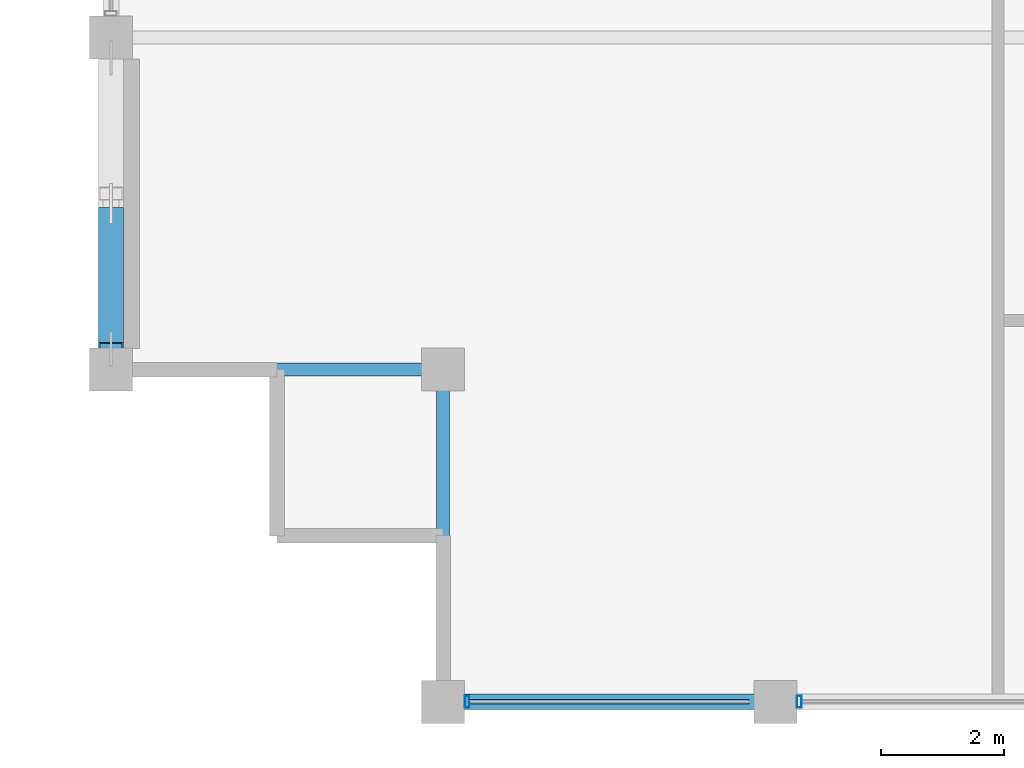
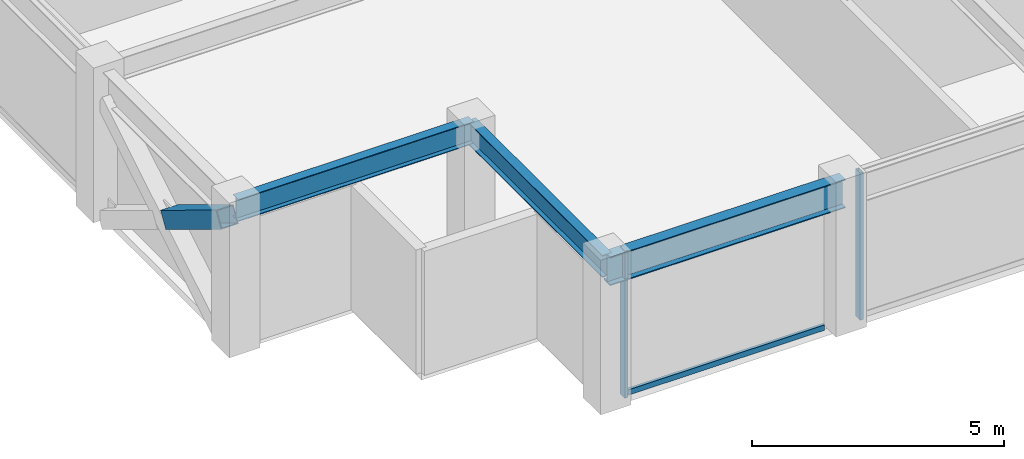
# One storey, part 2 of 29: 4 members, 3 beams, 1 element without a shape of its own.
"""IFC4 building model written with IfcOpenShell, lengths in metres."""

from ifc_helpers import new_model, si_unit, direction, frame, origin, origin_2d, place, context, subcontext, project, spatial, hollow_rectangle, i_section, extrude, material, layer, layer_set, material_profile, profile_set, type_object, element, aggregate, save


model = new_model("IFC4")

# Units and contexts
model_context = context("Model", 3, precision=1e-05, world=origin(), true_north=direction((0.0, 1.0)))
body_context = subcontext(model_context, "Body", "Model", "MODEL_VIEW")
ifc_project = project(units=[si_unit("LENGTHUNIT", "METRE"), si_unit("AREAUNIT", "SQUARE_METRE"), si_unit("VOLUMEUNIT", "CUBIC_METRE"), si_unit("PLANEANGLEUNIT", "RADIAN"), si_unit("MASSUNIT", "GRAM", prefix="KILO")], contexts=[model_context])

# Site, building, storey
site_placement = place(None, origin())
site = spatial("IfcSite", under=ifc_project, at=site_placement, CompositionType="ELEMENT")
building_placement = place(site_placement, origin())
building = spatial("IfcBuilding", under=site, at=building_placement, Name="Surkhivell Harbour Commons", CompositionType="ELEMENT")
storey_placement = place(building_placement, frame((0.0, 0.0, 273.75)))
storey = spatial("IfcBuildingStorey", under=building, at=storey_placement, Name="L71", CompositionType="ELEMENT", Elevation=273.75)

# Beams
ifc_material_1 = material(Name="Steel S355", Category="steel")
ifc_material_profile_1 = material_profile(ifc_material_1, i_section(OverallWidth=0.2099609375, OverallDepth=0.537109375, WebThickness=0.0107421875, FlangeThickness=0.017333984375, at=origin_2d()), Name="UB533x210x101")
ifc_profile_set_1 = profile_set([ifc_material_profile_1], Name="Steel S355")
beam_type_1 = type_object("IfcBeamType", Name="BM-GRD-533B", PredefinedType="BEAM", material=ifc_profile_set_1)
beam_1_placement = place(storey_placement, frame((-27.0, -16.199951171875, 3.301513671875), z_axis=(1.0, 0.0, 0.0), x_axis=(0.0, 1.0, 0.0)))
element("IfcBeam", 1, at=beam_1_placement, inside=storey, type_object=beam_type_1, Name="L71 Floor Girder (-27.0,-16.2)", PredefinedType="BEAM", context=body_context, shape_type="SweptSolid", body=[
    extrude(i_section(OverallWidth=0.2099609375, OverallDepth=0.537109375, WebThickness=0.0107421875, FlangeThickness=0.017333984375, at=origin_2d()), origin(), (0.0, 0.0, 1.0), 5.39990234375),
])
beam_2_placement = place(storey_placement, frame((-21.60009765625, -21.60009765625, 3.301513671875), z_axis=(0.0, 1.0, 0.0), x_axis=(-1.0, 0.0, 0.0)))
element("IfcBeam", 2, at=beam_2_placement, inside=storey, type_object=beam_type_1, Name="L71 Floor Girder (-21.6,-21.6)", PredefinedType="BEAM", context=body_context, shape_type="SweptSolid", body=[
    extrude(i_section(OverallWidth=0.2099609375, OverallDepth=0.537109375, WebThickness=0.0107421875, FlangeThickness=0.017333984375, at=origin_2d()), origin(), (0.0, 0.0, 1.0), 5.400146484375),
])
ifc_material_profile_2 = material_profile(ifc_material_1, i_section(OverallWidth=0.256103515625, OverallDepth=0.693115234375, WebThickness=0.014404296875, FlangeThickness=0.023681640625, at=origin_2d()), Name="UB686x254x170")
ifc_profile_set_2 = profile_set([ifc_material_profile_2], Name="Steel S355")
beam_type_2 = type_object("IfcBeamType", Name="BM-SPN-686", PredefinedType="SPANDREL", material=ifc_profile_set_2)
beam_3_placement = place(storey_placement, frame((-21.60009765625, -21.60009765625, 3.223388671875), z_axis=(1.0, 0.0, 0.0), x_axis=(0.0, 1.0, 0.0)))
element("IfcBeam", 3, at=beam_3_placement, inside=storey, type_object=beam_type_2, Name="L71 Tube Spandrel (-21.6,-21.6)", PredefinedType="SPANDREL", context=body_context, shape_type="SweptSolid", body=[
    extrude(i_section(OverallWidth=0.256103515625, OverallDepth=0.693115234375, WebThickness=0.014404296875, FlangeThickness=0.023681640625, at=origin_2d()), origin(), (0.0, 0.0, 1.0), 5.400146484375),
])

# Curtain wall, members
ifc_material_2 = material(Name="Anodised pale-metal aluminium and insulated glazing", Category="aluminium")
ifc_layer = layer(ifc_material_2, 0.175048828125)
ifc_layer_set = layer_set([ifc_layer], Name="Anodised pale-metal aluminium and insulated glazing")
curtain_wall_type = type_object("IfcCurtainWallType", Name="CW-SYS-Z4", PredefinedType="NOTDEFINED", material=ifc_layer_set)
curtain_wall_placement = place(storey_placement, origin())
curtain_wall = element("IfcCurtainWall", 4, at=curtain_wall_placement, inside=storey, type_object=curtain_wall_type, Name="L71 Curtain Wall CW-L71-E00S1", PredefinedType="NOTDEFINED")
ifc_material_3 = material(Name="Anodised pale-metal aluminium alloy 6063-T6", Category="aluminium")
ifc_material_profile_3 = material_profile(ifc_material_3, hollow_rectangle(XDim=0.074951171875, YDim=0.18994140625, WallThickness=0.00390625, at=origin_2d()), Name="ALU-MULL-75x190")
ifc_profile_set_3 = profile_set([ifc_material_profile_3], Name="Anodised pale-metal aluminium alloy 6063-T6")
member_type_1 = type_object("IfcMemberType", Name="CWM-190", PredefinedType="MULLION", material=ifc_profile_set_3)
member_1_placement = place(storey_placement, frame((-21.21044921875, -21.60009765625, 0.0), z_axis=(0.0, 0.0, 1.0), x_axis=(1.0, 0.0, 0.0)))
member_1 = element("IfcMember", 5, at=member_1_placement, type_object=member_type_1, Name="CW-Z4 mullion 1", PredefinedType="MULLION", context=body_context, shape_type="SweptSolid", body=[
    extrude(hollow_rectangle(XDim=0.074951171875, YDim=0.18994140625, WallThickness=0.00390625, at=origin_2d()), origin(), (0.0, 0.0, 1.0), 3.570068359375),
])
member_2_placement = place(storey_placement, frame((-15.810546875, -21.60009765625, 0.0), z_axis=(0.0, 0.0, 1.0), x_axis=(1.0, 0.0, 0.0)))
member_2 = element("IfcMember", 6, at=member_2_placement, type_object=member_type_1, Name="CW-Z4 mullion 2", PredefinedType="MULLION", context=body_context, shape_type="SweptSolid", body=[
    extrude(hollow_rectangle(XDim=0.074951171875, YDim=0.18994140625, WallThickness=0.00390625, at=origin_2d()), origin(), (0.0, 0.0, 1.0), 3.570068359375),
])
ifc_material_4 = material(Name="Champagne anodised aluminium alloy 6063-T6", Category="aluminium")
ifc_material_profile_4 = material_profile(ifc_material_4, hollow_rectangle(XDim=0.070068359375, YDim=0.1298828125, WallThickness=0.00341796875, at=origin_2d()), Name="ALU-TRAN-70x130")
ifc_profile_set_4 = profile_set([ifc_material_profile_4], Name="Champagne anodised aluminium alloy 6063-T6")
member_type_2 = type_object("IfcMemberType", Name="CWT-130", PredefinedType="USERDEFINED", material=ifc_profile_set_4)
member_3_placement = place(storey_placement, frame((-21.173095703125, -21.60009765625, 0.06494140625), z_axis=(1.0, 0.0, 0.0), x_axis=(0.0, 1.0, 0.0)))
member_3 = element("IfcMember", 7, at=member_3_placement, type_object=member_type_2, Name="CW-Z4 transom 1.1", ObjectType="TRANSOM", PredefinedType="USERDEFINED", context=body_context, shape_type="SweptSolid", body=[
    extrude(hollow_rectangle(XDim=0.070068359375, YDim=0.1298828125, WallThickness=0.00341796875, at=origin_2d()), origin(), (0.0, 0.0, 1.0), 4.546142578125),
])
aggregate(curtain_wall, [member_1, member_3, member_2])

# Member
ifc_material_5 = material(Name="Steel S460", Category="steel")
ifc_material_profile_5 = material_profile(ifc_material_5, hollow_rectangle(XDim=0.39990234375, YDim=0.39990234375, WallThickness=0.02001953125, at=origin_2d()), Name="SHS400x400x20")
ifc_profile_set_5 = profile_set([ifc_material_profile_5], Name="Steel S460")
member_type_3 = type_object("IfcMemberType", Name="MEM-BRC-SHS400", PredefinedType="BRACE", material=ifc_profile_set_5)
member_4_placement = place(storey_placement, frame((-27.0, -13.6640625, 1.544189453125), z_axis=(0.0, -0.854677846108, 0.519158722716), x_axis=(1.0, 0.0, 0.0)))
element("IfcMember", 8, at=member_4_placement, inside=storey, type_object=member_type_3, Name="L71 Perimeter Mega-Brace MB- 12", PredefinedType="BRACE", context=body_context, shape_type="SweptSolid", body=[
    extrude(hollow_rectangle(XDim=0.39990234375, YDim=0.39990234375, WallThickness=0.02001953125, at=origin_2d()), origin(), (0.0, 0.0, 1.0), 2.5751953125),
])

save(model, "model.ifc")
